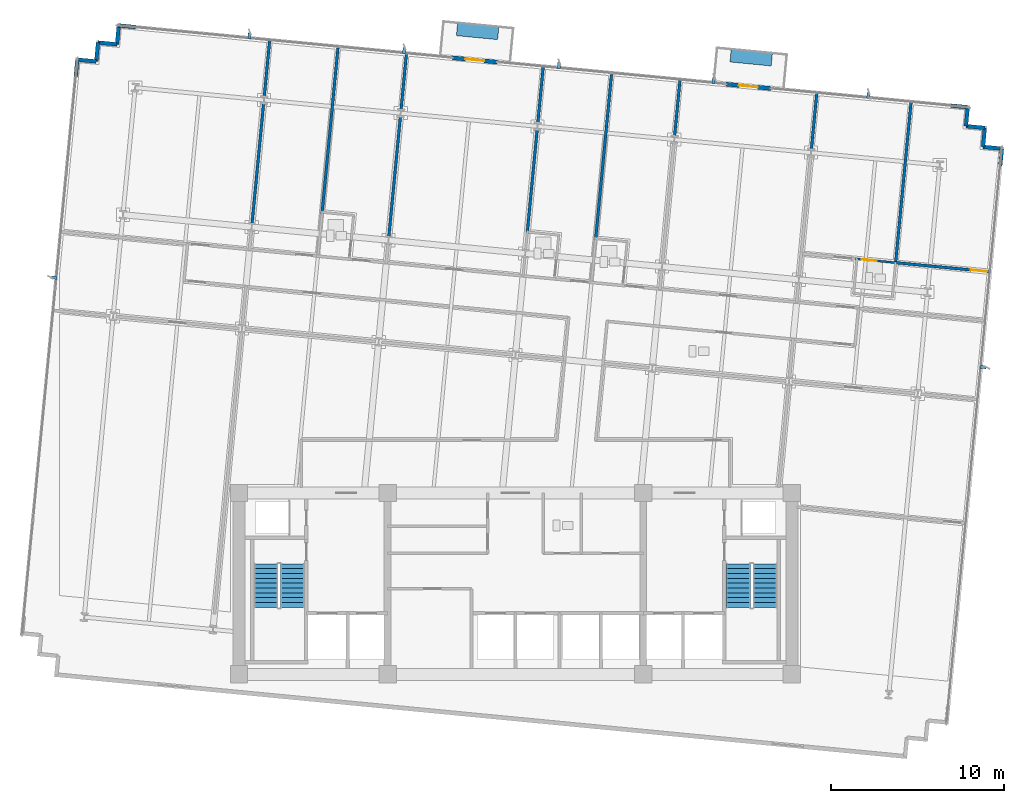
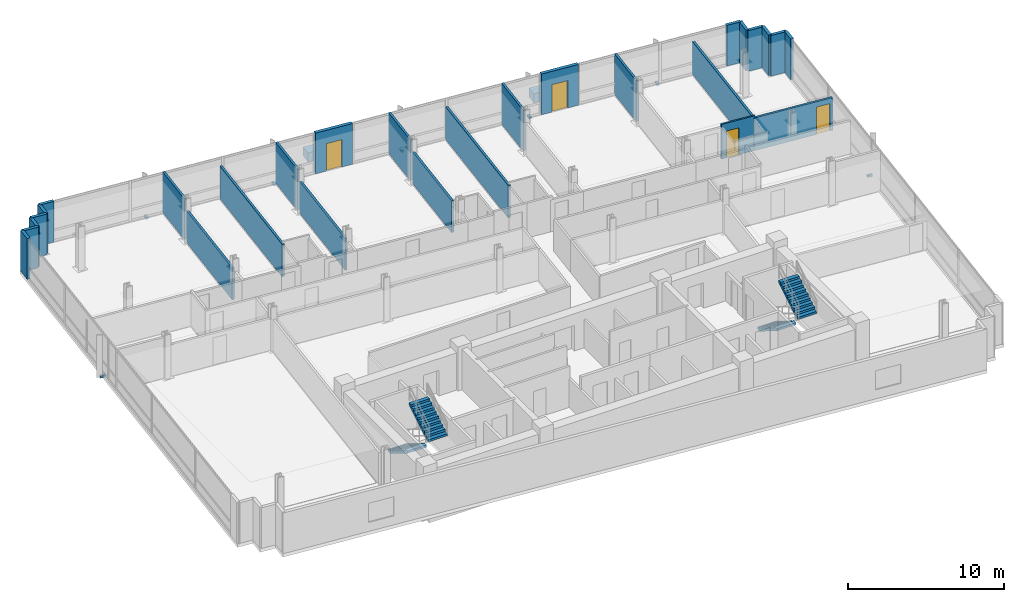
# One storey, part 13 of 17: 27 walls, 9 discrete accessories, 4 doors, 4 stair flights, 4 openings, 2 elements without a shape of their own.
"""IFC4 building model written with IfcOpenShell, lengths in metres."""

from ifc_helpers import new_model, si_unit, direction, frame, frame_2d, origin, origin_2d, place, context, subcontext, project, spatial, polyline, rectangle, outline, extrude, material, layer, layer_set, type_object, element, fill, aggregate, save


model = new_model("IFC4")

# Units and contexts
model_context = context("Model", 3, precision=1e-05, world=origin(), true_north=direction((0.0, 1.0)))
body_context = subcontext(model_context, "Body", "Model", "MODEL_VIEW")
ifc_project = project(units=[si_unit("LENGTHUNIT", "METRE"), si_unit("AREAUNIT", "SQUARE_METRE"), si_unit("VOLUMEUNIT", "CUBIC_METRE"), si_unit("PLANEANGLEUNIT", "RADIAN"), si_unit("MASSUNIT", "GRAM", prefix="KILO")], contexts=[model_context])

# Site, building, storey
site_placement = place(None, origin())
site = spatial("IfcSite", under=ifc_project, at=site_placement, CompositionType="ELEMENT")
building_placement = place(site_placement, origin())
building = spatial("IfcBuilding", under=site, at=building_placement, Name="Solmavex Isthmus Hotel", CompositionType="ELEMENT")
storey_placement = place(building_placement, frame((0.0, 0.0, 170.39990234375)))
storey = spatial("IfcBuildingStorey", under=building, at=storey_placement, Name="L46", CompositionType="ELEMENT", Elevation=170.39990234375)

# Wall, opening, door
ifc_material_1 = material(Name="Precast Concrete C40/50", Category="concrete")
ifc_layer_1 = layer(ifc_material_1, 0.25)
ifc_layer_set_1 = layer_set([ifc_layer_1], Name="Precast Concrete C40/50")
wall_type_1 = type_object("IfcWallType", Name="EW-TWR-250", PredefinedType="STANDARD", material=ifc_layer_set_1)
wall_1_placement = place(storey_placement, frame((-3.64404296875, 22.698974609375, 0.0), z_axis=(0.0, 0.0, 1.0), x_axis=(0.995393186867, -0.095877022999, 0.0)))
wall_1 = element("IfcWall", 1, at=wall_1_placement, inside=storey, type_object=wall_type_1, Name="Exterior Balcony Door Wall L46-2", PredefinedType="STANDARD", context=body_context, shape_type="SweptSolid", body=[
    extrude(rectangle(XDim=2.599853515625, YDim=0.239990234375, at=frame_2d((1.2998046875, 0.0))), origin(), (0.0, 0.0, 1.0), 3.190185546875),
])
opening_1_placement = place(wall_1_placement, frame((0.75, 0.0, 0.0)))
opening_1 = element("IfcOpeningElement", 2, at=opening_1_placement, cuts=wall_1, Name="Opening ED-02", PredefinedType="OPENING", context=body_context, shape_type="SweptSolid", body=[
    extrude(rectangle(XDim=1.10009765625, YDim=2.14990234375, at=frame_2d((0.550048828125, 1.074951171875))), frame((0.0, 0.1298828125, 0.0), z_axis=(0.0, -1.0, 0.0), x_axis=(1.0, 0.0, 0.0)), (0.0, 0.0, 1.0), 0.260009765625),
])
ifc_material_2 = material(Name="Aluminium alloy 6063-T6", Category="aluminium")
door_type_1 = type_object("IfcDoorType", Name="EDR-BALC-1100", OperationType="NOTDEFINED", PredefinedType="DOOR", material=ifc_material_2)
door_1_placement = place(opening_1_placement, origin())
door_1 = element("IfcDoor", 3, at=door_1_placement, inside=storey, type_object=door_type_1, Name="Balcony & Terrace Glazed Door L46-2", OperationType="SINGLE_SWING_RIGHT", OverallHeight=2.14990234375, OverallWidth=1.10009765625, PredefinedType="DOOR", context=body_context, shape_type="SweptSolid", body=[
    extrude(rectangle(XDim=1.10009765625, YDim=2.14990234375, at=frame_2d((0.550048828125, 1.074951171875))), frame((0.0, 0.02490234375, 0.0), z_axis=(0.0, -1.0, 0.0), x_axis=(1.0, 0.0, 0.0)), (0.0, 0.0, 1.0), 0.050048828125),
])
fill(opening_1, door_1)

wall_2_placement = place(storey_placement, frame((12.194580078125, 21.173828125, 0.0), z_axis=(0.0, 0.0, 1.0), x_axis=(0.995394049959, -0.095868061976, 0.0)))
wall_2 = element("IfcWall", 4, at=wall_2_placement, inside=storey, type_object=wall_type_1, Name="Exterior Balcony Door Wall L46-3", PredefinedType="STANDARD", context=body_context, shape_type="SweptSolid", body=[
    extrude(rectangle(XDim=2.60009765625, YDim=0.239990234375, at=frame_2d((1.300048828125, 0.0))), origin(), (0.0, 0.0, 1.0), 3.190185546875),
])
opening_2_placement = place(wall_2_placement, frame((0.75, 0.0, 0.0)))
opening_2 = element("IfcOpeningElement", 5, at=opening_2_placement, cuts=wall_2, Name="Opening ED-02", PredefinedType="OPENING", context=body_context, shape_type="SweptSolid", body=[
    extrude(rectangle(XDim=1.10009765625, YDim=2.14990234375, at=frame_2d((0.550048828125, 1.074951171875))), frame((0.0, 0.1298828125, 0.0), z_axis=(0.0, -1.0, 0.0), x_axis=(1.0, 0.0, 0.0)), (0.0, 0.0, 1.0), 0.260009765625),
])
door_2_placement = place(opening_2_placement, origin())
door_2 = element("IfcDoor", 6, at=door_2_placement, inside=storey, type_object=door_type_1, Name="Balcony & Terrace Glazed Door L46-3", OperationType="SINGLE_SWING_LEFT", OverallHeight=2.14990234375, OverallWidth=1.10009765625, PredefinedType="DOOR", context=body_context, shape_type="SweptSolid", body=[
    extrude(rectangle(XDim=1.10009765625, YDim=2.14990234375, at=frame_2d((0.550048828125, 1.074951171875))), frame((0.0, 0.02490234375, 0.0), z_axis=(0.0, -1.0, 0.0), x_axis=(1.0, 0.0, 0.0)), (0.0, 0.0, 1.0), 0.050048828125),
])
fill(opening_2, door_2)

# Walls
wall_3_placement = place(storey_placement, frame((-25.46142578125, 21.60498046875, 0.0), z_axis=(0.0, 0.0, 1.0), x_axis=(0.095937974524, 0.995387314086, 0.0)))
element("IfcWall", 7, at=wall_3_placement, inside=storey, type_object=wall_type_1, Name="Serrated Corner Facade Panel L46-07", PredefinedType="STANDARD", context=body_context, shape_type="SweptSolid", body=[
    extrude(rectangle(XDim=0.989990234375, YDim=0.219970703125, at=frame_2d((0.4951171875, 0.0))), origin(), (0.0, 0.0, 1.0), 3.190185546875),
])
for number, where, z_axis, x_axis, name in (
    (8, (-25.366455078125, 22.59033203125, 0.0), (0.0, 0.0, 1.0), (0.995414313875, -0.095657429048, 0.0), "Serrated Corner Facade Panel L46-08"),
    (9, (-24.271484375, 22.485107421875, 0.0), (0.0, 0.0, 1.0), (0.095657429048, 0.995414313875, 0.0), "Serrated Corner Facade Panel L46-09"),
    (10, (-24.166259765625, 23.580078125, 0.0), (0.0, 0.0, 1.0), (0.995393156894, -0.095877334176, 0.0), "Serrated Corner Facade Panel L46-10"),
    (11, (-23.0712890625, 23.474609375, 0.0), (0.0, 0.0, 1.0), (0.095877334176, 0.995393156894, 0.0), "Serrated Corner Facade Panel L46-11"),
):
    element("IfcWall", number, at=place(storey_placement, frame(where, z_axis=z_axis, x_axis=x_axis)), inside=storey, type_object=wall_type_1, Name=name, PredefinedType="STANDARD", context=body_context, shape_type="SweptSolid", body=[
        extrude(rectangle(XDim=1.10009765625, YDim=0.219970703125, at=frame_2d((0.550048828125, 0.0))), origin(), (0.0, 0.0, 1.0), 3.190185546875),
    ])
for number, where, z_axis, x_axis, name in (
    (12, (-22.9658203125, 24.569580078125, 0.0), (0.0, 0.0, 1.0), (0.995387314086, -0.095937974524, 0.0), "Serrated Corner Facade Panel L46-12"),
    (13, (25.201416015625, 19.931396484375, 0.0), (0.0, 0.0, 1.0), (0.99541083642, -0.095693608655, 0.0), "Serrated Corner Facade Panel L46-14"),
):
    element("IfcWall", number, at=place(storey_placement, frame(where, z_axis=z_axis, x_axis=x_axis)), inside=storey, type_object=wall_type_1, Name=name, PredefinedType="STANDARD", context=body_context, shape_type="SweptSolid", body=[
        extrude(rectangle(XDim=0.989990234375, YDim=0.219970703125, at=frame_2d((0.4951171875, 0.0))), origin(), (0.0, 0.0, 1.0), 3.190185546875),
    ])
wall_4_placement = place(storey_placement, frame((26.186767578125, 19.836669921875, 0.0), z_axis=(0.0, 0.0, 1.0), x_axis=(-0.095657429048, -0.995414313875, 0.0)))
element("IfcWall", 14, at=wall_4_placement, inside=storey, type_object=wall_type_1, Name="Serrated Corner Facade Panel L46-15", PredefinedType="STANDARD", context=body_context, shape_type="SweptSolid", body=[
    extrude(rectangle(XDim=1.10009765625, YDim=0.219970703125, at=frame_2d((0.550048828125, 0.0))), origin(), (0.0, 0.0, 1.0), 3.190185546875),
])
wall_5_placement = place(storey_placement, frame((26.08154296875, 18.74169921875, 0.0), z_axis=(0.0, 0.0, 1.0), x_axis=(0.995391116058, -0.095898519656, 0.0)))
element("IfcWall", 15, at=wall_5_placement, inside=storey, type_object=wall_type_1, Name="Serrated Corner Facade Panel L46-16", PredefinedType="STANDARD", context=body_context, shape_type="SweptSolid", body=[
    extrude(rectangle(XDim=1.099853515625, YDim=0.219970703125, at=frame_2d((0.5498046875, 0.0))), origin(), (0.0, 0.0, 1.0), 3.190185546875),
])
wall_6_placement = place(storey_placement, frame((27.17626953125, 18.63623046875, 0.0), z_axis=(0.0, 0.0, 1.0), x_axis=(-0.095657429048, -0.995414313875, 0.0)))
element("IfcWall", 16, at=wall_6_placement, inside=storey, type_object=wall_type_1, Name="Serrated Corner Facade Panel L46-17", PredefinedType="STANDARD", context=body_context, shape_type="SweptSolid", body=[
    extrude(rectangle(XDim=1.10009765625, YDim=0.219970703125, at=frame_2d((0.550048828125, 0.0))), origin(), (0.0, 0.0, 1.0), 3.190185546875),
])
wall_7_placement = place(storey_placement, frame((27.071044921875, 17.541259765625, 0.0), z_axis=(0.0, 0.0, 1.0), x_axis=(0.995391116058, -0.095898519656, 0.0)))
element("IfcWall", 17, at=wall_7_placement, inside=storey, type_object=wall_type_1, Name="Serrated Corner Facade Panel L46-18", PredefinedType="STANDARD", context=body_context, shape_type="SweptSolid", body=[
    extrude(rectangle(XDim=1.099853515625, YDim=0.219970703125, at=frame_2d((0.5498046875, 0.0))), origin(), (0.0, 0.0, 1.0), 3.190185546875),
])
wall_8_placement = place(storey_placement, frame((28.165771484375, 17.435791015625, 0.0), z_axis=(0.0, 0.0, 1.0), x_axis=(-0.095693608655, -0.99541083642, 0.0)))
element("IfcWall", 18, at=wall_8_placement, inside=storey, type_object=wall_type_1, Name="Serrated Corner Facade Panel L46-19", PredefinedType="STANDARD", context=body_context, shape_type="SweptSolid", body=[
    extrude(rectangle(XDim=0.989990234375, YDim=0.219970703125, at=frame_2d((0.4951171875, 0.0))), origin(), (0.0, 0.0, 1.0), 3.190185546875),
])
ifc_material_3 = material(Name="Gypsum plasterboard lining", Category="gypsum")
ifc_layer_2 = layer(ifc_material_3, 0.159912109375)
ifc_layer_set_2 = layer_set([ifc_layer_2], Name="Gypsum plasterboard lining")
wall_type_2 = type_object("IfcWallType", Name="IW-COMP-160", PredefinedType="PARTITIONING", material=ifc_layer_set_2)
wall_9_placement = place(storey_placement, frame((-14.57958984375, 20.0791015625, 0.0), z_axis=(0.0, 0.0, 1.0), x_axis=(-0.095849846802, -0.995395804124, 0.0)))
element("IfcWall", 19, at=wall_9_placement, inside=storey, type_object=wall_type_2, Name="Interior Partition Wall W-L46-P027", PredefinedType="PARTITIONING", context=body_context, shape_type="SweptSolid", body=[
    extrude(rectangle(XDim=7.040283203125, YDim=0.159912109375, at=frame_2d((3.52001953125, 0.0))), origin(), (0.0, 0.0, 1.0), 2.4794921875),
])
wall_10_placement = place(storey_placement, frame((-14.225341796875, 23.758056640625, 0.0), z_axis=(0.0, 0.0, 1.0), x_axis=(-0.095859866796, -0.995394839216, 0.0)))
element("IfcWall", 20, at=wall_10_placement, inside=storey, type_object=wall_type_2, Name="Interior Partition Wall W-L46-P028", PredefinedType="PARTITIONING", context=body_context, shape_type="SweptSolid", body=[
    extrude(rectangle(XDim=3.343994140625, YDim=0.159912109375, at=frame_2d((1.671875, 0.0))), origin(), (0.0, 0.0, 1.0), 3.190185546875),
])
wall_11_placement = place(storey_placement, frame((-10.277099609375, 23.25732421875, 0.0), z_axis=(0.0, 0.0, 1.0), x_axis=(-0.09586164433, -0.995394668032, 0.0)))
element("IfcWall", 21, at=wall_11_placement, inside=storey, type_object=wall_type_2, Name="Interior Partition Wall W-L46-P030", PredefinedType="PARTITIONING", context=body_context, shape_type="SweptSolid", body=[
    extrude(rectangle(XDim=9.632080078125, YDim=0.159912109375, at=frame_2d((4.81591796875, 0.0))), origin(), (0.0, 0.0, 1.0), 2.5576171875),
])
wall_12_placement = place(storey_placement, frame((-6.66015625, 19.31640625, 0.0), z_axis=(0.0, 0.0, 1.0), x_axis=(-0.095853155488, -0.995395485515, 0.0)))
element("IfcWall", 22, at=wall_12_placement, inside=storey, type_object=wall_type_2, Name="Interior Partition Wall W-L46-P035", PredefinedType="PARTITIONING", context=body_context, shape_type="SweptSolid", body=[
    extrude(rectangle(XDim=7.0400390625, YDim=0.159912109375, at=frame_2d((3.52001953125, 0.0))), origin(), (0.0, 0.0, 1.0), 2.4794921875),
])
wall_13_placement = place(storey_placement, frame((-6.305908203125, 22.995361328125, 0.0), z_axis=(0.0, 0.0, 1.0), x_axis=(-0.095859866796, -0.995394839216, 0.0)))
element("IfcWall", 23, at=wall_13_placement, inside=storey, type_object=wall_type_2, Name="Interior Partition Wall W-L46-P036", PredefinedType="PARTITIONING", context=body_context, shape_type="SweptSolid", body=[
    extrude(rectangle(XDim=3.343994140625, YDim=0.159912109375, at=frame_2d((1.671875, 0.0))), origin(), (0.0, 0.0, 1.0), 3.190185546875),
])
wall_14_placement = place(storey_placement, frame((1.259033203125, 18.553955078125, 0.0), z_axis=(0.0, 0.0, 1.0), x_axis=(-0.095826863488, -0.995398016993, 0.0)))
element("IfcWall", 24, at=wall_14_placement, inside=storey, type_object=wall_type_2, Name="Interior Partition Wall W-L46-P037", PredefinedType="PARTITIONING", context=body_context, shape_type="SweptSolid", body=[
    extrude(rectangle(XDim=6.055908203125, YDim=0.159912109375, at=frame_2d((3.02783203125, 0.0))), origin(), (0.0, 0.0, 1.0), 2.4794921875),
])
wall_15_placement = place(storey_placement, frame((1.61328125, 22.23291015625, 0.0), z_axis=(0.0, 0.0, 1.0), x_axis=(-0.095787528641, -0.99540180297, 0.0)))
element("IfcWall", 25, at=wall_15_placement, inside=storey, type_object=wall_type_2, Name="Interior Partition Wall W-L46-P038", PredefinedType="PARTITIONING", context=body_context, shape_type="SweptSolid", body=[
    extrude(rectangle(XDim=3.343994140625, YDim=0.159912109375, at=frame_2d((1.671875, 0.0))), origin(), (0.0, 0.0, 1.0), 3.190185546875),
])
wall_16_placement = place(storey_placement, frame((5.5615234375, 21.732177734375, 0.0), z_axis=(0.0, 0.0, 1.0), x_axis=(-0.09583653035, -0.995397086318, 0.0)))
element("IfcWall", 26, at=wall_16_placement, inside=storey, type_object=wall_type_2, Name="Interior Partition Wall W-L46-P043", PredefinedType="PARTITIONING", context=body_context, shape_type="SweptSolid", body=[
    extrude(rectangle(XDim=9.632080078125, YDim=0.159912109375, at=frame_2d((4.81591796875, 0.0))), origin(), (0.0, 0.0, 1.0), 2.5576171875),
])
for number, where, z_axis, x_axis, name in (
    (27, (9.53271484375, 21.470458984375, 0.0), (0.0, 0.0, 1.0), (-0.095859866796, -0.995394839216, 0.0), "Interior Partition Wall W-L46-P049"),
    (28, (17.4521484375, 20.707763671875, 0.0), (0.0, 0.0, 1.0), (-0.095859866796, -0.995394839216, 0.0), "Interior Partition Wall W-L46-P053"),
):
    element("IfcWall", number, at=place(storey_placement, frame(where, z_axis=z_axis, x_axis=x_axis)), inside=storey, type_object=wall_type_2, Name=name, PredefinedType="PARTITIONING", context=body_context, shape_type="SweptSolid", body=[
        extrude(rectangle(XDim=3.343994140625, YDim=0.159912109375, at=frame_2d((1.671875, 0.0))), origin(), (0.0, 0.0, 1.0), 3.190185546875),
    ])

# Wall, opening, door
wall_17_placement = place(storey_placement, frame((21.97119140625, 10.83935546875, 0.0), z_axis=(0.0, 0.0, 1.0), x_axis=(0.995393338962, -0.095875443934, 0.0)))
wall_17 = element("IfcWall", 29, at=wall_17_placement, inside=storey, type_object=wall_type_2, Name="Interior Partition Wall W-L46-P055", PredefinedType="PARTITIONING", context=body_context, shape_type="SweptSolid", body=[
    extrude(rectangle(XDim=5.56396484375, YDim=0.159912109375, at=frame_2d((2.781982421875, 0.0))), origin(), (0.0, 0.0, 1.0), 2.5576171875),
])
opening_3_placement = place(wall_17_placement, frame((4.404052734375, 0.0, 0.0)))
opening_3 = element("IfcOpeningElement", 30, at=opening_3_placement, cuts=wall_17, Name="Opening ID-C095", PredefinedType="OPENING", context=body_context, shape_type="SweptSolid", body=[
    extrude(rectangle(XDim=0.949951171875, YDim=2.14990234375, at=frame_2d((0.47509765625, 1.074951171875))), frame((0.0, 0.08984375, 0.0), z_axis=(0.0, -1.0, 0.0), x_axis=(1.0, 0.0, 0.0)), (0.0, 0.0, 1.0), 0.179931640625),
])
ifc_material_4 = material(Name="Hardwood timber", Category="wood")
door_type_2 = type_object("IfcDoorType", Name="IDR-FD60-0950", OperationType="NOTDEFINED", PredefinedType="DOOR", material=ifc_material_4)
door_3_placement = place(opening_3_placement, origin())
door_3 = element("IfcDoor", 31, at=door_3_placement, inside=storey, type_object=door_type_2, Name="Ambassador Panorama Suite Panorama Sitting Study Door L46-13", OperationType="SINGLE_SWING_LEFT", OverallHeight=2.14990234375, OverallWidth=0.949951171875, PredefinedType="DOOR", context=body_context, shape_type="SweptSolid", body=[
    extrude(rectangle(XDim=0.949951171875, YDim=2.14990234375, at=frame_2d((0.47509765625, 1.074951171875))), frame((0.0, 0.02490234375, 0.0), z_axis=(0.0, -1.0, 0.0), x_axis=(1.0, 0.0, 0.0)), (0.0, 0.0, 1.0), 0.050048828125),
])
fill(opening_3, door_3)

# Wall
wall_18_placement = place(storey_placement, frame((22.910888671875, 20.18212890625, 0.0), z_axis=(0.0, 0.0, 1.0), x_axis=(-0.095845110289, -0.995396260207, 0.0)))
element("IfcWall", 32, at=wall_18_placement, inside=storey, type_object=wall_type_2, Name="Interior Partition Wall W-L46-P060", PredefinedType="PARTITIONING", context=body_context, shape_type="SweptSolid", body=[
    extrude(rectangle(XDim=9.429931640625, YDim=0.159912109375, at=frame_2d((4.71484375, 0.0))), origin(), (0.0, 0.0, 1.0), 2.5576171875),
])

# Wall, opening, door
ifc_layer_3 = layer(ifc_material_3, 0.1201171875)
ifc_layer_set_3 = layer_set([ifc_layer_3], Name="Gypsum plasterboard lining")
wall_type_3 = type_object("IfcWallType", Name="IW-PART-120", PredefinedType="PARTITIONING", material=ifc_layer_set_3)
wall_19_placement = place(storey_placement, frame((22.05078125, 10.83154296875, 0.0), z_axis=(0.0, 0.0, 1.0), x_axis=(-0.995398273854, 0.095824195322, 0.0)))
wall_19 = element("IfcWall", 33, at=wall_19_placement, inside=storey, type_object=wall_type_3, Name="Interior Partition Wall W-L46-P061", PredefinedType="PARTITIONING", context=body_context, shape_type="SweptSolid", body=[
    extrude(rectangle(XDim=2.3720703125, YDim=0.1201171875, at=frame_2d((1.18603515625, 0.0))), origin(), (0.0, 0.0, 1.0), 2.71826171875),
])
opening_4_placement = place(wall_19_placement, frame((1.14599609375, 0.0, 0.0)))
opening_4 = element("IfcOpeningElement", 34, at=opening_4_placement, cuts=wall_19, Name="Opening ID-U085", PredefinedType="OPENING", context=body_context, shape_type="SweptSolid", body=[
    extrude(rectangle(XDim=0.85009765625, YDim=2.10009765625, at=frame_2d((0.425048828125, 1.050048828125))), frame((0.0, 0.070068359375, 0.0), z_axis=(0.0, -1.0, 0.0), x_axis=(1.0, 0.0, 0.0)), (0.0, 0.0, 1.0), 0.14013671875),
])
door_type_3 = type_object("IfcDoorType", Name="IDR-UNR-0850", OperationType="NOTDEFINED", PredefinedType="DOOR", material=ifc_material_4)
door_4_placement = place(opening_4_placement, frame((0.85009765625, 0.0, 0.0), z_axis=(0.0, 0.0, 1.0), x_axis=(-1.0, 0.0, 0.0)))
door_4 = element("IfcDoor", 35, at=door_4_placement, inside=storey, type_object=door_type_3, Name="En-suite Bathroom Door L46-14", OperationType="SINGLE_SWING_RIGHT", OverallHeight=2.10009765625, OverallWidth=0.85009765625, PredefinedType="DOOR", context=body_context, shape_type="SweptSolid", body=[
    extrude(rectangle(XDim=0.85009765625, YDim=2.10009765625, at=frame_2d((0.425048828125, 1.050048828125))), frame((0.0, 0.02490234375, 0.0), z_axis=(0.0, -1.0, 0.0), x_axis=(1.0, 0.0, 0.0)), (0.0, 0.0, 1.0), 0.050048828125),
])
fill(opening_4, door_4)

# Stair, stair flights
ifc_material_5 = material(Name="Concrete C40/50", Category="concrete")
stair_type_1 = type_object("IfcStairType", Name="STR-ST-1", PredefinedType="HALF_TURN_STAIR", material=ifc_material_5)
stair_1_placement = place(storey_placement, origin())
stair_1 = element("IfcStair", 36, at=stair_1_placement, inside=storey, type_object=stair_type_1, Name="L46 Protected Exit Stair ST-1", PredefinedType="HALF_TURN_STAIR")
stair_flight_type_1 = type_object("IfcStairFlightType", Name="SFL-ST-1", PredefinedType="STRAIGHT", material=ifc_material_5)
stair_flight_1_placement = place(storey_placement, frame((-14.449951171875, -6.60009765625, 0.0), z_axis=(0.0, 0.0, 1.0), x_axis=(0.0, -1.0, 0.0)))
stair_flight_1 = element("IfcStairFlight", 37, at=stair_flight_1_placement, type_object=stair_flight_type_1, Name="ST-1 flight 1", NumberOfRisers=10, NumberOfTreads=9, PredefinedType="STRAIGHT", RiserHeight=0.1725, TreadLength=0.28, context=body_context, shape_type="SweptSolid", body=[
    extrude(outline(polyline([(0.0, 0.0), (0.0, 0.172607421875), (0.280029296875, 0.172607421875), (0.280029296875, 0.344970703125), (0.56005859375, 0.344970703125), (0.56005859375, 0.517578125), (0.840087890625, 0.517578125), (0.840087890625, 0.68994140625), (1.1201171875, 0.68994140625), (1.1201171875, 0.862548828125), (1.39990234375, 0.862548828125), (1.39990234375, 1.034912109375), (1.679931640625, 1.034912109375), (1.679931640625, 1.20751953125), (1.9599609375, 1.20751953125), (1.9599609375, 1.3798828125), (2.239990234375, 1.3798828125), (2.239990234375, 1.552490234375), (2.52001953125, 1.552490234375), (2.52001953125, 1.72509765625), (2.52001953125, 1.37646484375), (0.285888671875, 0.0), (0.0, 0.0)])), frame((0.0, 0.699951171875, 0.0), z_axis=(0.0, -1.0, 0.0), x_axis=(1.0, 0.0, 0.0)), (0.0, 0.0, 1.0), 1.39990234375),
])
stair_flight_2_placement = place(storey_placement, frame((-12.89990234375, -9.1201171875, 1.72509765625), z_axis=(0.0, 0.0, 1.0), x_axis=(0.0, 1.0, 0.0)))
stair_flight_2 = element("IfcStairFlight", 38, at=stair_flight_2_placement, type_object=stair_flight_type_1, Name="ST-1 flight 2", NumberOfRisers=10, NumberOfTreads=9, PredefinedType="STRAIGHT", RiserHeight=0.1725, TreadLength=0.28, context=body_context, shape_type="SweptSolid", body=[
    extrude(outline(polyline([(0.0, 0.0), (0.0, 0.172607421875), (0.280029296875, 0.172607421875), (0.280029296875, 0.344970703125), (0.56005859375, 0.344970703125), (0.56005859375, 0.517578125), (0.840087890625, 0.517578125), (0.840087890625, 0.68994140625), (1.1201171875, 0.68994140625), (1.1201171875, 0.862548828125), (1.39990234375, 0.862548828125), (1.39990234375, 1.034912109375), (1.679931640625, 1.034912109375), (1.679931640625, 1.20751953125), (1.9599609375, 1.20751953125), (1.9599609375, 1.3798828125), (2.239990234375, 1.3798828125), (2.239990234375, 1.552490234375), (2.52001953125, 1.552490234375), (2.52001953125, 1.72509765625), (2.52001953125, 1.37646484375), (0.285888671875, 0.0), (0.0, 0.0)])), frame((0.0, 0.699951171875, 0.0), z_axis=(0.0, -1.0, 0.0), x_axis=(1.0, 0.0, 0.0)), (0.0, 0.0, 1.0), 1.39990234375),
])
aggregate(stair_1, [stair_flight_1, stair_flight_2])

stair_type_2 = type_object("IfcStairType", Name="STR-ST-2", PredefinedType="HALF_TURN_STAIR", material=ifc_material_5)
stair_2_placement = place(storey_placement, origin())
stair_2 = element("IfcStair", 39, at=stair_2_placement, inside=storey, type_object=stair_type_2, Name="L46 Protected Exit Stair ST-2", PredefinedType="HALF_TURN_STAIR")
stair_flight_type_2 = type_object("IfcStairFlightType", Name="SFL-ST-2", PredefinedType="STRAIGHT", material=ifc_material_5)
stair_flight_3_placement = place(storey_placement, frame((12.89990234375, -6.60009765625, 0.0), z_axis=(0.0, 0.0, 1.0), x_axis=(0.0, -1.0, 0.0)))
stair_flight_3 = element("IfcStairFlight", 40, at=stair_flight_3_placement, type_object=stair_flight_type_2, Name="ST-2 flight 1", NumberOfRisers=10, NumberOfTreads=9, PredefinedType="STRAIGHT", RiserHeight=0.1725, TreadLength=0.28, context=body_context, shape_type="SweptSolid", body=[
    extrude(outline(polyline([(0.0, 0.0), (0.0, 0.172607421875), (0.280029296875, 0.172607421875), (0.280029296875, 0.344970703125), (0.56005859375, 0.344970703125), (0.56005859375, 0.517578125), (0.840087890625, 0.517578125), (0.840087890625, 0.68994140625), (1.1201171875, 0.68994140625), (1.1201171875, 0.862548828125), (1.39990234375, 0.862548828125), (1.39990234375, 1.034912109375), (1.679931640625, 1.034912109375), (1.679931640625, 1.20751953125), (1.9599609375, 1.20751953125), (1.9599609375, 1.3798828125), (2.239990234375, 1.3798828125), (2.239990234375, 1.552490234375), (2.52001953125, 1.552490234375), (2.52001953125, 1.72509765625), (2.52001953125, 1.37646484375), (0.285888671875, 0.0), (0.0, 0.0)])), frame((0.0, 0.699951171875, 0.0), z_axis=(0.0, -1.0, 0.0), x_axis=(1.0, 0.0, 0.0)), (0.0, 0.0, 1.0), 1.39990234375),
])
stair_flight_4_placement = place(storey_placement, frame((14.449951171875, -9.1201171875, 1.72509765625), z_axis=(0.0, 0.0, 1.0), x_axis=(0.0, 1.0, 0.0)))
stair_flight_4 = element("IfcStairFlight", 41, at=stair_flight_4_placement, type_object=stair_flight_type_2, Name="ST-2 flight 2", NumberOfRisers=10, NumberOfTreads=9, PredefinedType="STRAIGHT", RiserHeight=0.1725, TreadLength=0.28, context=body_context, shape_type="SweptSolid", body=[
    extrude(outline(polyline([(0.0, 0.0), (0.0, 0.172607421875), (0.280029296875, 0.172607421875), (0.280029296875, 0.344970703125), (0.56005859375, 0.344970703125), (0.56005859375, 0.517578125), (0.840087890625, 0.517578125), (0.840087890625, 0.68994140625), (1.1201171875, 0.68994140625), (1.1201171875, 0.862548828125), (1.39990234375, 0.862548828125), (1.39990234375, 1.034912109375), (1.679931640625, 1.034912109375), (1.679931640625, 1.20751953125), (1.9599609375, 1.20751953125), (1.9599609375, 1.3798828125), (2.239990234375, 1.3798828125), (2.239990234375, 1.552490234375), (2.52001953125, 1.552490234375), (2.52001953125, 1.72509765625), (2.52001953125, 1.37646484375), (0.285888671875, 0.0), (0.0, 0.0)])), frame((0.0, 0.699951171875, 0.0), z_axis=(0.0, -1.0, 0.0), x_axis=(1.0, 0.0, 0.0)), (0.0, 0.0, 1.0), 1.39990234375),
])
aggregate(stair_2, [stair_flight_3, stair_flight_4])

# Discrete accessories
ifc_material_6 = material(Name="Steel ASTM A572 Grade 50", Category="steel")
discrete_accessory_type_1 = type_object("IfcDiscreteAccessoryType", Name="ACC-BRK-FIN", PredefinedType="BRACKET", material=ifc_material_6)
for number, where, z_axis, x_axis, name in (
    (42, (-15.398193359375, 23.971435546875, -0.169921875), (0.0, 0.0, 1.0), (0.09584575252, 0.995396198367, 0.0), "Facade Fin Support Bracket L46-N1"),
    (43, (-6.439697265625, 23.10888671875, -0.169921875), (0.0, 0.0, 1.0), (0.09584575252, 0.995396198367, 0.0), "Facade Fin Support Bracket L46-N2"),
    (44, (2.518798828125, 22.24609375, -0.169921875), (0.0, 0.0, 1.0), (0.09584575252, 0.995396198367, 0.0), "Facade Fin Support Bracket L46-N3"),
    (45, (11.477294921875, 21.383544921875, -0.169921875), (0.0, 0.0, 1.0), (0.09584575252, 0.995396198367, 0.0), "Facade Fin Support Bracket L46-N4"),
    (46, (20.43603515625, 20.52099609375, -0.169921875), (0.0, 0.0, 1.0), (0.09584575252, 0.995396198367, 0.0), "Facade Fin Support Bracket L46-N5"),
    (47, (-26.712158203125, 9.971435546875, -0.169921875), (0.0, 0.0, 1.0), (-0.995396198367, 0.09584575252, 0.0), "Facade Fin Support Bracket L46-W1"),
    (48, (27.0791015625, 4.791748046875, -0.169921875), (0.0, 0.0, 1.0), (0.995396198367, -0.09584575252, 0.0), "Facade Fin Support Bracket L46-E1"),
):
    element("IfcDiscreteAccessory", number, at=place(storey_placement, frame(where, z_axis=z_axis, x_axis=x_axis)), inside=storey, type_object=discrete_accessory_type_1, Name=name, PredefinedType="BRACKET", context=body_context, shape_type="SweptSolid", body=[
        extrude(rectangle(XDim=0.340087890625, YDim=0.179931640625, at=origin_2d()), origin(), (0.0, 0.0, 1.0), 0.159912109375),
    ])
discrete_accessory_type_2 = type_object("IfcDiscreteAccessoryType", Name="ACC-PLN-BALC", PredefinedType="USERDEFINED", material=ifc_material_1)
for number, where, z_axis, x_axis, name in (
    (49, (-2.18994140625, 24.236572265625, 0.0), (0.0, 0.0, 1.0), (0.995396198367, -0.09584575252, 0.0), "Tree-Balcony Architectural Planter L46-B1"),
    (50, (13.648681640625, 22.711669921875, 0.0), (0.0, 0.0, 1.0), (0.995396198367, -0.09584575252, 0.0), "Tree-Balcony Architectural Planter L46-B2"),
):
    element("IfcDiscreteAccessory", number, at=place(storey_placement, frame(where, z_axis=z_axis, x_axis=x_axis)), inside=storey, type_object=discrete_accessory_type_2, Name=name, ObjectType="PLANTER", PredefinedType="USERDEFINED", context=body_context, shape_type="SweptSolid", body=[
        extrude(rectangle(XDim=2.39990234375, YDim=0.75, at=origin_2d()), origin(), (0.0, 0.0, 1.0), 0.699951171875),
    ])

save(model, "model.ifc")
